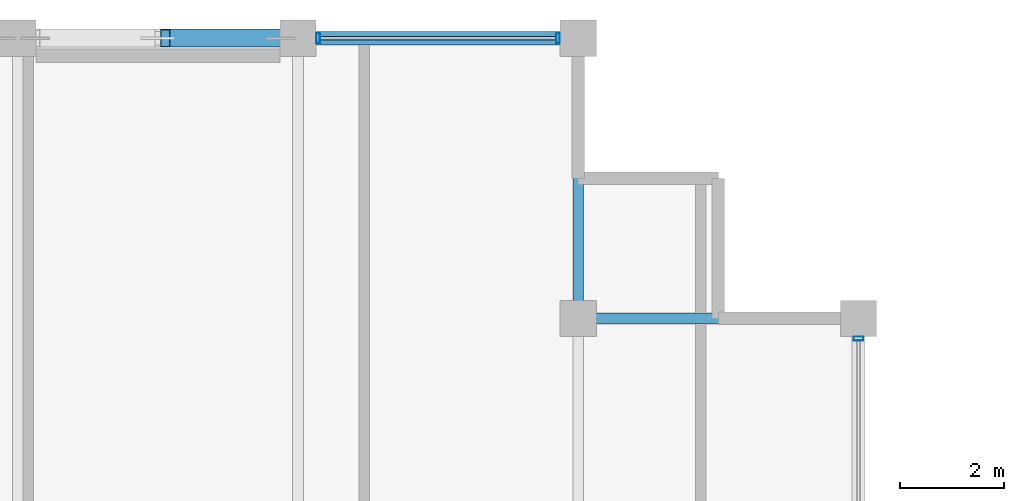
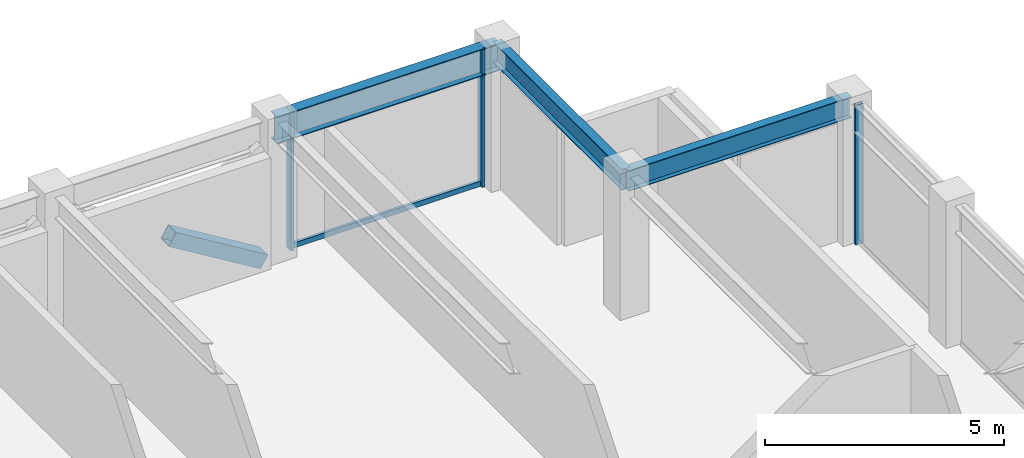
# One storey, part 20 of 30: 5 members, 3 beams, 2 elements without a shape of their own.
"""IFC4 building model written with IfcOpenShell, lengths in metres."""

from ifc_helpers import new_model, si_unit, direction, frame, origin, origin_2d, place, context, subcontext, project, spatial, hollow_rectangle, i_section, extrude, material, layer, layer_set, material_profile, profile_set, type_object, element, aggregate, save


model = new_model("IFC4")

# Units and contexts
model_context = context("Model", 3, precision=1e-05, world=origin(), true_north=direction((0.0, 1.0)))
body_context = subcontext(model_context, "Body", "Model", "MODEL_VIEW")
ifc_project = project(units=[si_unit("LENGTHUNIT", "METRE"), si_unit("AREAUNIT", "SQUARE_METRE"), si_unit("VOLUMEUNIT", "CUBIC_METRE"), si_unit("PLANEANGLEUNIT", "RADIAN"), si_unit("MASSUNIT", "GRAM", prefix="KILO")], contexts=[model_context])

# Site, building, storey
site_placement = place(None, origin())
site = spatial("IfcSite", under=ifc_project, at=site_placement, CompositionType="ELEMENT")
building_placement = place(site_placement, origin())
building = spatial("IfcBuilding", under=site, at=building_placement, Name="Surkhivell Harbour Commons", CompositionType="ELEMENT")
storey_placement = place(building_placement, frame((0.0, 0.0, 303.75)))
storey = spatial("IfcBuildingStorey", under=building, at=storey_placement, Name="L79", CompositionType="ELEMENT", Elevation=303.75)

# Beams
ifc_material_1 = material(Name="Steel S355", Category="steel")
ifc_material_profile_1 = material_profile(ifc_material_1, i_section(OverallWidth=0.2099609375, OverallDepth=0.537109375, WebThickness=0.0107421875, FlangeThickness=0.017333984375, at=origin_2d()), Name="UB533x210x101")
ifc_profile_set_1 = profile_set([ifc_material_profile_1], Name="Steel S355")
beam_type_1 = type_object("IfcBeamType", Name="BM-GRD-533B", PredefinedType="BEAM", material=ifc_profile_set_1)
for number, where, z_axis, x_axis, name in (
    (1, (10.800048828125, 20.5, 3.301513671875), (0.0, 1.0, 0.0), (-1.0, 0.0, 0.0), "L79 Floor Girder (10.8,20.5)"),
    (2, (10.800048828125, 20.5, 3.301513671875), (1.0, 0.0, 0.0), (0.0, 1.0, 0.0), "L79 Floor Girder (10.8,20.5)"),
):
    element("IfcBeam", number, at=place(storey_placement, frame(where, z_axis=z_axis, x_axis=x_axis)), inside=storey, type_object=beam_type_1, Name=name, PredefinedType="BEAM", context=body_context, shape_type="SweptSolid", body=[
        extrude(i_section(OverallWidth=0.2099609375, OverallDepth=0.537109375, WebThickness=0.0107421875, FlangeThickness=0.017333984375, at=origin_2d()), origin(), (0.0, 0.0, 1.0), 5.39990234375),
    ])
ifc_material_profile_2 = material_profile(ifc_material_1, i_section(OverallWidth=0.256103515625, OverallDepth=0.693115234375, WebThickness=0.014404296875, FlangeThickness=0.023681640625, at=origin_2d()), Name="UB686x254x170")
ifc_profile_set_2 = profile_set([ifc_material_profile_2], Name="Steel S355")
beam_type_2 = type_object("IfcBeamType", Name="BM-SPN-686", PredefinedType="SPANDREL", material=ifc_profile_set_2)
beam_placement = place(storey_placement, frame((5.39990234375, 25.89990234375, 3.223388671875), z_axis=(1.0, 0.0, 0.0), x_axis=(0.0, 1.0, 0.0)))
element("IfcBeam", 3, at=beam_placement, inside=storey, type_object=beam_type_2, Name="L79 Tube Spandrel (5.4,25.9)", PredefinedType="SPANDREL", context=body_context, shape_type="SweptSolid", body=[
    extrude(i_section(OverallWidth=0.256103515625, OverallDepth=0.693115234375, WebThickness=0.014404296875, FlangeThickness=0.023681640625, at=origin_2d()), origin(), (0.0, 0.0, 1.0), 5.400146484375),
])

# Curtain wall, member
ifc_material_2 = material(Name="Anodised pale-metal aluminium and insulated glazing", Category="aluminium")
ifc_layer = layer(ifc_material_2, 0.175048828125)
ifc_layer_set = layer_set([ifc_layer], Name="Anodised pale-metal aluminium and insulated glazing")
curtain_wall_type = type_object("IfcCurtainWallType", Name="CW-SYS-Z4", PredefinedType="NOTDEFINED", material=ifc_layer_set)
curtain_wall_1_placement = place(storey_placement, origin())
curtain_wall_1 = element("IfcCurtainWall", 4, at=curtain_wall_1_placement, inside=storey, type_object=curtain_wall_type, Name="L79 Curtain Wall CW-L79-E02R2", PredefinedType="NOTDEFINED")
ifc_material_3 = material(Name="Anodised pale-metal aluminium alloy 6063-T6", Category="aluminium")
ifc_material_profile_3 = material_profile(ifc_material_3, hollow_rectangle(XDim=0.074951171875, YDim=0.18994140625, WallThickness=0.00390625, at=origin_2d()), Name="ALU-MULL-75x190")
ifc_profile_set_3 = profile_set([ifc_material_profile_3], Name="Anodised pale-metal aluminium alloy 6063-T6")
member_type_1 = type_object("IfcMemberType", Name="CWM-190", PredefinedType="MULLION", material=ifc_profile_set_3)
member_1_placement = place(storey_placement, frame((16.199951171875, 20.110595703125, 0.0), z_axis=(0.0, 0.0, 1.0), x_axis=(0.0, 1.0, 0.0)))
member_1 = element("IfcMember", 5, at=member_1_placement, type_object=member_type_1, Name="CW-Z4 mullion 4", PredefinedType="MULLION", context=body_context, shape_type="SweptSolid", body=[
    extrude(hollow_rectangle(XDim=0.074951171875, YDim=0.18994140625, WallThickness=0.00390625, at=origin_2d()), origin(), (0.0, 0.0, 1.0), 3.570068359375),
])
aggregate(curtain_wall_1, [member_1])

# Curtain wall, members
curtain_wall_2_placement = place(storey_placement, origin())
curtain_wall_2 = element("IfcCurtainWall", 6, at=curtain_wall_2_placement, inside=storey, type_object=curtain_wall_type, Name="L79 Curtain Wall CW-L79-E07S1", PredefinedType="NOTDEFINED")
member_2_placement = place(storey_placement, frame((10.410400390625, 25.89990234375, 0.0), z_axis=(0.0, 0.0, 1.0), x_axis=(-1.0, 0.0, 0.0)))
member_2 = element("IfcMember", 7, at=member_2_placement, type_object=member_type_1, Name="CW-Z4 mullion 1", PredefinedType="MULLION", context=body_context, shape_type="SweptSolid", body=[
    extrude(hollow_rectangle(XDim=0.074951171875, YDim=0.18994140625, WallThickness=0.00390625, at=origin_2d()), origin(), (0.0, 0.0, 1.0), 3.570068359375),
])
member_3_placement = place(storey_placement, frame((5.78955078125, 25.89990234375, 0.0), z_axis=(0.0, 0.0, 1.0), x_axis=(-1.0, 0.0, 0.0)))
member_3 = element("IfcMember", 8, at=member_3_placement, type_object=member_type_1, Name="CW-Z4 mullion 2", PredefinedType="MULLION", context=body_context, shape_type="SweptSolid", body=[
    extrude(hollow_rectangle(XDim=0.074951171875, YDim=0.18994140625, WallThickness=0.00390625, at=origin_2d()), origin(), (0.0, 0.0, 1.0), 3.570068359375),
])
ifc_material_4 = material(Name="Champagne anodised aluminium alloy 6063-T6", Category="aluminium")
ifc_material_profile_4 = material_profile(ifc_material_4, hollow_rectangle(XDim=0.070068359375, YDim=0.1298828125, WallThickness=0.00341796875, at=origin_2d()), Name="ALU-TRAN-70x130")
ifc_profile_set_4 = profile_set([ifc_material_profile_4], Name="Champagne anodised aluminium alloy 6063-T6")
member_type_2 = type_object("IfcMemberType", Name="CWT-130", PredefinedType="USERDEFINED", material=ifc_profile_set_4)
member_4_placement = place(storey_placement, frame((10.373046875, 25.89990234375, 0.06494140625), z_axis=(-1.0, 0.0, 0.0), x_axis=(0.0, -1.0, 0.0)))
member_4 = element("IfcMember", 9, at=member_4_placement, type_object=member_type_2, Name="CW-Z4 transom 1.1", ObjectType="TRANSOM", PredefinedType="USERDEFINED", context=body_context, shape_type="SweptSolid", body=[
    extrude(hollow_rectangle(XDim=0.070068359375, YDim=0.1298828125, WallThickness=0.00341796875, at=origin_2d()), origin(), (0.0, 0.0, 1.0), 4.546142578125),
])
aggregate(curtain_wall_2, [member_2, member_3, member_4])

# Member
ifc_material_profile_5 = material_profile(ifc_material_1, hollow_rectangle(XDim=0.35009765625, YDim=0.35009765625, WallThickness=0.01611328125, at=origin_2d()), Name="SHS350x350x16")
ifc_profile_set_5 = profile_set([ifc_material_profile_5], Name="Steel S355")
member_type_3 = type_object("IfcMemberType", Name="MEM-BRC-SHS350", PredefinedType="BRACE", material=ifc_profile_set_5)
member_5_placement = place(storey_placement, frame((5.06494140625, 25.89990234375, 0.008056640625), z_axis=(-0.854678858595, 0.0, 0.51915705588), x_axis=(0.0, -1.0, 0.0)))
element("IfcMember", 10, at=member_5_placement, inside=storey, type_object=member_type_3, Name="L79 Perimeter Mega-Brace MB- 05", PredefinedType="BRACE", context=body_context, shape_type="SweptSolid", body=[
    extrude(hollow_rectangle(XDim=0.35009765625, YDim=0.35009765625, WallThickness=0.01611328125, at=origin_2d()), origin(), (0.0, 0.0, 1.0), 2.59912109375),
])

save(model, "model.ifc")
